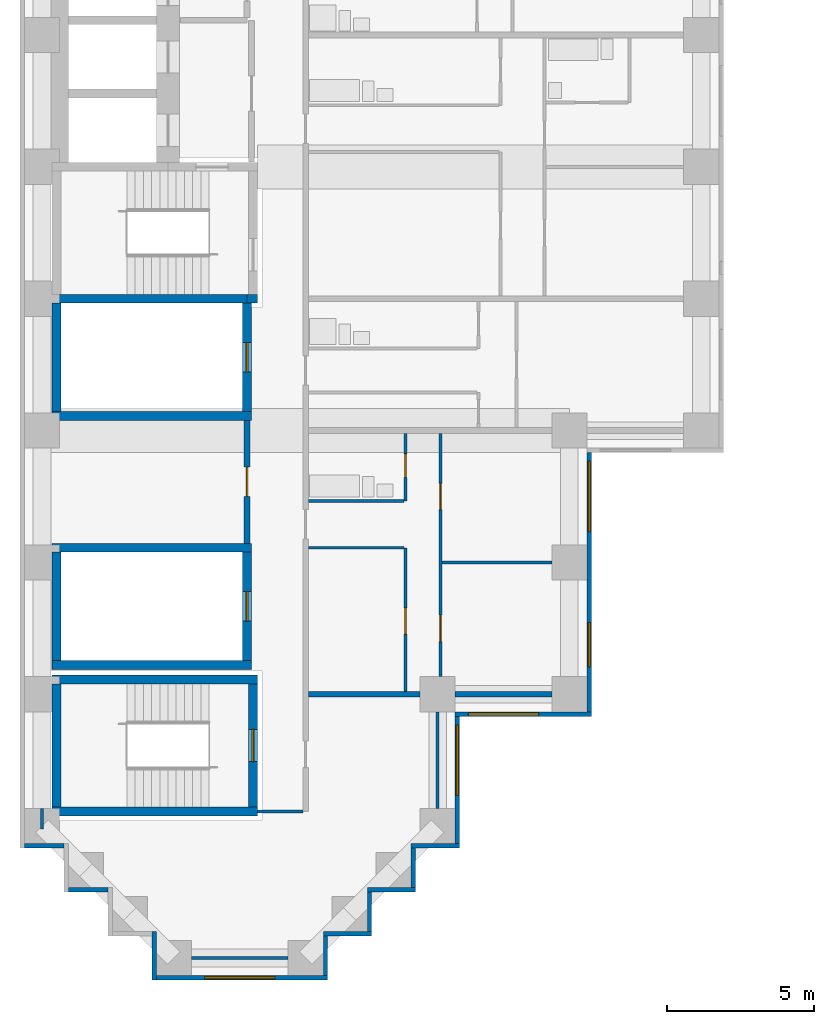
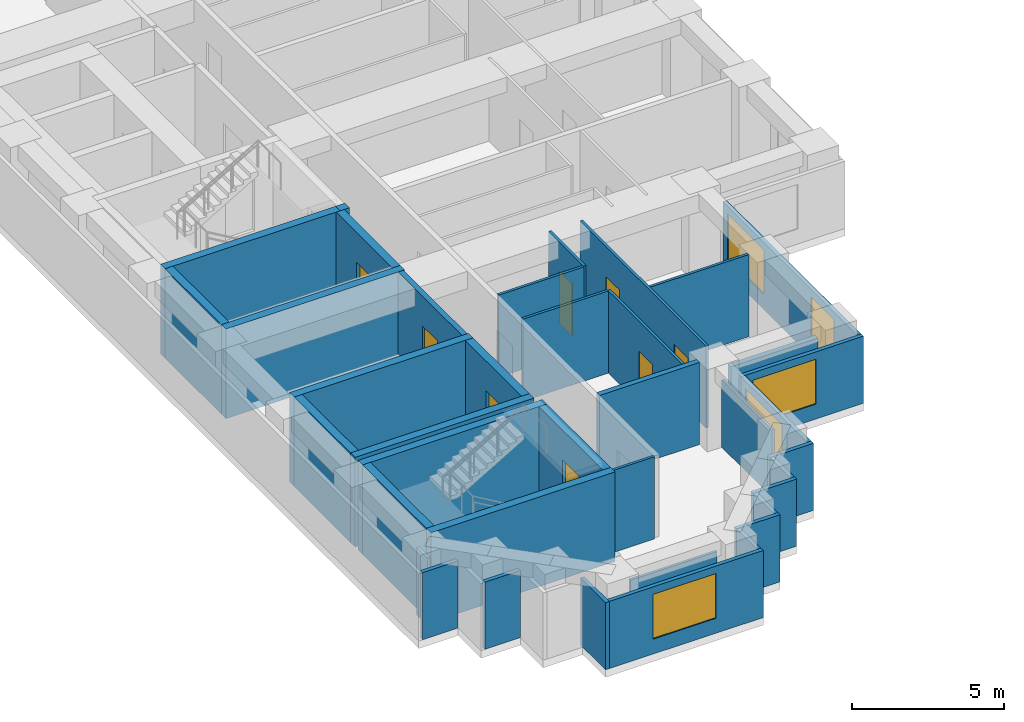
# One storey, part 2 of 11: 39 walls, 8 doors, 5 windows, 13 openings.
"""IFC4 building model written with IfcOpenShell, lengths in metres."""

from ifc_helpers import new_model, si_unit, direction, frame, frame_2d, origin, place, context, subcontext, project, spatial, rectangle, extrude, material, layer, layer_set, type_object, element, fill, save


model = new_model("IFC4")

# Units and contexts
model_context = context("Model", 3, precision=1e-05, world=origin(), true_north=direction((0.0, 1.0)))
body_context = subcontext(model_context, "Body", "Model", "MODEL_VIEW")
ifc_project = project(units=[si_unit("LENGTHUNIT", "METRE"), si_unit("AREAUNIT", "SQUARE_METRE"), si_unit("VOLUMEUNIT", "CUBIC_METRE"), si_unit("PLANEANGLEUNIT", "RADIAN"), si_unit("MASSUNIT", "GRAM", prefix="KILO")], contexts=[model_context])

# Site, building, storey
site_placement = place(None, origin())
site = spatial("IfcSite", under=ifc_project, at=site_placement, CompositionType="ELEMENT")
building_placement = place(site_placement, origin())
building = spatial("IfcBuilding", under=site, at=building_placement, Name="Firuza Court", CompositionType="ELEMENT")
storey_placement = place(building_placement, frame((0.0, 0.0, 83.0)))
storey = spatial("IfcBuildingStorey", under=building, at=storey_placement, Name="L20", CompositionType="ELEMENT", Elevation=83.0)

# Walls
ifc_material_1 = material(Name="Moisture-resistant gypsum board partition")
ifc_layer_1 = layer(ifc_material_1, 0.10009765625)
ifc_layer_set_1 = layer_set([ifc_layer_1], Name="Moisture-resistant gypsum board partition")
wall_type_1 = type_object("IfcWallType", Name="Bathroom partition 100", PredefinedType="PLUMBINGWALL", material=ifc_layer_set_1)
wall_1_placement = place(storey_placement, frame((9.10009765625, 15.60009765625, 0.0), z_axis=(0.0, 0.0, 1.0), x_axis=(1.0, 0.0, 0.0)))
element("IfcWall", 1, at=wall_1_placement, inside=storey, type_object=wall_type_1, Name="Bathroom partition 100 L20", PredefinedType="PLUMBINGWALL", context=body_context, shape_type="SweptSolid", body=[
    extrude(rectangle(XDim=3.25, YDim=0.10009765625, at=frame_2d((1.625, 0.0))), origin(), (0.0, 0.0, 1.0), 3.300048828125),
])
ifc_material_2 = material(Name="Concrete C60/75", Category="concrete")
ifc_layer_2 = layer(ifc_material_2, 0.300048828125)
ifc_layer_set_2 = layer_set([ifc_layer_2], Name="Concrete C60/75")
wall_type_2 = type_object("IfcWallType", Name="Core wall 300 C60/75", PredefinedType="SHEAR", material=ifc_layer_set_2)
for number, where, z_axis, x_axis, name in (
    (2, (0.35009765625, 5.0, -0.300048828125), (0.0, 0.0, 1.0), (1.0, 0.0, 0.0), "Core wall stair L20"),
    (3, (0.35009765625, 9.5, -0.300048828125), (0.0, 0.0, 1.0), (1.0, 0.0, 0.0), "Core wall stair L20"),
):
    element("IfcWall", number, at=place(storey_placement, frame(where, z_axis=z_axis, x_axis=x_axis)), inside=storey, type_object=wall_type_2, Name=name, PredefinedType="SHEAR", context=body_context, shape_type="SweptSolid", body=[
        extrude(rectangle(XDim=7.0, YDim=0.300048828125, at=frame_2d((3.5, 0.0))), origin(), (0.0, 0.0, 1.0), 3.60009765625),
    ])
for number, where, z_axis, x_axis, name in (
    (4, (0.35009765625, 10.0, -0.300048828125), (0.0, 0.0, 1.0), (1.0, 0.0, 0.0), "Core wall riser L20"),
    (5, (0.35009765625, 14.0, -0.300048828125), (0.0, 0.0, 1.0), (1.0, 0.0, 0.0), "Core wall riser L20"),
    (6, (0.35009765625, 18.5, -0.300048828125), (0.0, 0.0, 1.0), (1.0, 0.0, 0.0), "Core wall riser L20"),
):
    element("IfcWall", number, at=place(storey_placement, frame(where, z_axis=z_axis, x_axis=x_axis)), inside=storey, type_object=wall_type_2, Name=name, PredefinedType="SHEAR", context=body_context, shape_type="SweptSolid", body=[
        extrude(rectangle(XDim=6.7998046875, YDim=0.300048828125, at=frame_2d((3.39990234375, 0.0))), origin(), (0.0, 0.0, 1.0), 3.60009765625),
    ])
wall_2_placement = place(storey_placement, frame((0.35009765625, 22.5, -0.300048828125), z_axis=(0.0, 0.0, 1.0), x_axis=(1.0, 0.0, 0.0)))
element("IfcWall", 7, at=wall_2_placement, inside=storey, type_object=wall_type_2, Name="Core wall riser L20", PredefinedType="SHEAR", context=body_context, shape_type="SweptSolid", body=[
    extrude(rectangle(XDim=6.64990234375, YDim=0.300048828125, at=frame_2d((3.324951171875, 0.0))), origin(), (0.0, 0.0, 1.0), 3.60009765625),
])
wall_3_placement = place(storey_placement, frame((0.5, 5.14990234375, -0.300048828125), z_axis=(0.0, 0.0, 1.0), x_axis=(0.0, 1.0, 0.0)))
element("IfcWall", 8, at=wall_3_placement, inside=storey, type_object=wall_type_2, Name="Core wall stair L20", PredefinedType="SHEAR", context=body_context, shape_type="SweptSolid", body=[
    extrude(rectangle(XDim=4.2001953125, YDim=0.300048828125, at=frame_2d((2.10009765625, 0.0))), origin(), (0.0, 0.0, 1.0), 3.60009765625),
])
for number, where, z_axis, x_axis, name in (
    (9, (0.5, 10.14990234375, -0.300048828125), (0.0, 0.0, 1.0), (0.0, 1.0, 0.0), "Core wall riser L20"),
    (10, (0.5, 18.64990234375, -0.300048828125), (0.0, 0.0, 1.0), (0.0, 1.0, 0.0), "Core wall riser L20"),
):
    element("IfcWall", number, at=place(storey_placement, frame(where, z_axis=z_axis, x_axis=x_axis)), inside=storey, type_object=wall_type_2, Name=name, PredefinedType="SHEAR", context=body_context, shape_type="SweptSolid", body=[
        extrude(rectangle(XDim=3.7001953125, YDim=0.300048828125, at=frame_2d((1.85009765625, 0.0))), origin(), (0.0, 0.0, 1.0), 3.60009765625),
    ])

# Wall, opening, door
wall_4_placement = place(storey_placement, frame((7.0, 10.14990234375, -0.300048828125), z_axis=(0.0, 0.0, 1.0), x_axis=(0.0, 1.0, 0.0)))
wall_4 = element("IfcWall", 11, at=wall_4_placement, inside=storey, type_object=wall_type_2, Name="Core wall riser L20", PredefinedType="SHEAR", context=body_context, shape_type="SweptSolid", body=[
    extrude(rectangle(XDim=3.7001953125, YDim=0.300048828125, at=frame_2d((1.85009765625, 0.0))), origin(), (0.0, 0.0, 1.0), 3.60009765625),
])
opening_1_placement = place(wall_4_placement, frame((1.35009765625, 0.0, 0.300048828125)))
opening_1 = element("IfcOpeningElement", 12, at=opening_1_placement, cuts=wall_4, Name="Opening D20012", PredefinedType="OPENING", context=body_context, shape_type="SweptSolid", body=[
    extrude(rectangle(XDim=1.0, YDim=2.10009765625, at=frame_2d((0.5, 1.050048828125))), frame((0.0, 0.162109375, 0.0), z_axis=(0.0, -1.0, 0.0), x_axis=(1.0, 0.0, 0.0)), (0.0, 0.0, 1.0), 0.323974609375),
])
ifc_material_3 = material(Name="Timber door leaf in hardwood frame", Category="wood")
door_type_1 = type_object("IfcDoorType", Name="Riser door 1000", OperationType="SINGLE_SWING_LEFT", PredefinedType="DOOR", material=ifc_material_3)
door_1_placement = place(opening_1_placement, origin())
door_1 = element("IfcDoor", 13, at=door_1_placement, inside=storey, type_object=door_type_1, Name="Riser door R4", OperationType="SINGLE_SWING_LEFT", OverallHeight=2.10009765625, OverallWidth=1.0, PredefinedType="DOOR", context=body_context, shape_type="SweptSolid", body=[
    extrude(rectangle(XDim=1.0, YDim=2.10009765625, at=frame_2d((0.5, 1.050048828125))), frame((0.0, 0.02490234375, 0.0), z_axis=(0.0, -1.0, 0.0), x_axis=(1.0, 0.0, 0.0)), (0.0, 0.0, 1.0), 0.050048828125),
])
fill(opening_1, door_1)

wall_5_placement = place(storey_placement, frame((7.0, 18.64990234375, -0.300048828125), z_axis=(0.0, 0.0, 1.0), x_axis=(0.0, 1.0, 0.0)))
wall_5 = element("IfcWall", 14, at=wall_5_placement, inside=storey, type_object=wall_type_2, Name="Core wall riser L20", PredefinedType="SHEAR", context=body_context, shape_type="SweptSolid", body=[
    extrude(rectangle(XDim=3.7001953125, YDim=0.300048828125, at=frame_2d((1.85009765625, 0.0))), origin(), (0.0, 0.0, 1.0), 3.60009765625),
])
opening_2_placement = place(wall_5_placement, frame((1.35009765625, 0.0, 0.300048828125)))
opening_2 = element("IfcOpeningElement", 15, at=opening_2_placement, cuts=wall_5, Name="Opening D20010", PredefinedType="OPENING", context=body_context, shape_type="SweptSolid", body=[
    extrude(rectangle(XDim=1.0, YDim=2.10009765625, at=frame_2d((0.5, 1.050048828125))), frame((0.0, 0.162109375, 0.0), z_axis=(0.0, -1.0, 0.0), x_axis=(1.0, 0.0, 0.0)), (0.0, 0.0, 1.0), 0.323974609375),
])
door_2_placement = place(opening_2_placement, origin())
door_2 = element("IfcDoor", 16, at=door_2_placement, inside=storey, type_object=door_type_1, Name="Riser door R1", OperationType="SINGLE_SWING_LEFT", OverallHeight=2.10009765625, OverallWidth=1.0, PredefinedType="DOOR", context=body_context, shape_type="SweptSolid", body=[
    extrude(rectangle(XDim=1.0, YDim=2.10009765625, at=frame_2d((0.5, 1.050048828125))), frame((0.0, 0.02490234375, 0.0), z_axis=(0.0, -1.0, 0.0), x_axis=(1.0, 0.0, 0.0)), (0.0, 0.0, 1.0), 0.050048828125),
])
fill(opening_2, door_2)

# Wall
wall_6_placement = place(storey_placement, frame((7.0, 22.5, -0.300048828125), z_axis=(0.0, 0.0, 1.0), x_axis=(1.0, 0.0, 0.0)))
element("IfcWall", 17, at=wall_6_placement, inside=storey, type_object=wall_type_2, Name="Core wall stair L20", PredefinedType="SHEAR", context=body_context, shape_type="SweptSolid", body=[
    extrude(rectangle(XDim=0.35009765625, YDim=0.300048828125, at=frame_2d((0.175048828125, 0.0))), origin(), (0.0, 0.0, 1.0), 3.60009765625),
])

# Wall, opening, door
wall_7_placement = place(storey_placement, frame((7.199951171875, 5.14990234375, -0.300048828125), z_axis=(0.0, 0.0, 1.0), x_axis=(0.0, 1.0, 0.0)))
wall_7 = element("IfcWall", 18, at=wall_7_placement, inside=storey, type_object=wall_type_2, Name="Core wall stair L20", PredefinedType="SHEAR", context=body_context, shape_type="SweptSolid", body=[
    extrude(rectangle(XDim=4.2001953125, YDim=0.300048828125, at=frame_2d((2.10009765625, 0.0))), origin(), (0.0, 0.0, 1.0), 3.60009765625),
])
opening_3_placement = place(wall_7_placement, frame((1.550048828125, 0.0, 0.300048828125)))
opening_3 = element("IfcOpeningElement", 19, at=opening_3_placement, cuts=wall_7, Name="Opening D20018", PredefinedType="OPENING", context=body_context, shape_type="SweptSolid", body=[
    extrude(rectangle(XDim=1.10009765625, YDim=2.10009765625, at=frame_2d((0.550048828125, 1.050048828125))), frame((0.0, 0.162109375, 0.0), z_axis=(0.0, -1.0, 0.0), x_axis=(1.0, 0.0, 0.0)), (0.0, 0.0, 1.0), 0.323974609375),
])
ifc_material_4 = material(Name="Timber door leaf in hardwood frame", Category="wood")
door_type_2 = type_object("IfcDoorType", Name="Stair door 1100", OperationType="SINGLE_SWING_LEFT", PredefinedType="DOOR", material=ifc_material_4)
door_3_placement = place(opening_3_placement, origin())
door_3 = element("IfcDoor", 20, at=door_3_placement, inside=storey, type_object=door_type_2, Name="Stair door S5", OperationType="SINGLE_SWING_LEFT", OverallHeight=2.10009765625, OverallWidth=1.10009765625, PredefinedType="DOOR", context=body_context, shape_type="SweptSolid", body=[
    extrude(rectangle(XDim=1.10009765625, YDim=2.10009765625, at=frame_2d((0.550048828125, 1.050048828125))), frame((0.0, 0.02490234375, 0.0), z_axis=(0.0, -1.0, 0.0), x_axis=(1.0, 0.0, 0.0)), (0.0, 0.0, 1.0), 0.050048828125),
])
fill(opening_3, door_3)

ifc_material_5 = material(Name="Blockwork, plastered both sides", Category="masonry")
ifc_layer_3 = layer(ifc_material_5, 0.199951171875)
ifc_layer_set_3 = layer_set([ifc_layer_3], Name="Blockwork, plastered both sides")
wall_type_3 = type_object("IfcWallType", Name="Corridor wall 200", PredefinedType="PARTITIONING", material=ifc_layer_set_3)
wall_8_placement = place(storey_placement, frame((7.0, 14.14990234375, 0.0), z_axis=(0.0, 0.0, 1.0), x_axis=(0.0, 1.0, 0.0)))
wall_8 = element("IfcWall", 21, at=wall_8_placement, inside=storey, type_object=wall_type_3, Name="Corridor wall 200 L20", PredefinedType="PARTITIONING", context=body_context, shape_type="SweptSolid", body=[
    extrude(rectangle(XDim=4.2001953125, YDim=0.199951171875, at=frame_2d((2.10009765625, 0.0))), origin(), (0.0, 0.0, 1.0), 3.300048828125),
])
opening_4_placement = place(wall_8_placement, frame((1.60009765625, 0.0, 0.0)))
opening_4 = element("IfcOpeningElement", 22, at=opening_4_placement, cuts=wall_8, Name="Opening D20028", PredefinedType="OPENING", context=body_context, shape_type="SweptSolid", body=[
    extrude(rectangle(XDim=1.0, YDim=2.10009765625, at=frame_2d((0.5, 1.050048828125))), frame((0.0, 0.11181640625, 0.0), z_axis=(0.0, -1.0, 0.0), x_axis=(1.0, 0.0, 0.0)), (0.0, 0.0, 1.0), 0.223876953125),
])
ifc_material_6 = material(Name="Timber door leaf in hardwood frame", Category="wood")
door_type_3 = type_object("IfcDoorType", Name="Store door 1000", OperationType="SINGLE_SWING_LEFT", PredefinedType="DOOR", material=ifc_material_6)
door_4_placement = place(opening_4_placement, origin())
door_4 = element("IfcDoor", 23, at=door_4_placement, inside=storey, type_object=door_type_3, Name="Electrical room door", OperationType="SINGLE_SWING_LEFT", OverallHeight=2.10009765625, OverallWidth=1.0, PredefinedType="DOOR", context=body_context, shape_type="SweptSolid", body=[
    extrude(rectangle(XDim=1.0, YDim=2.10009765625, at=frame_2d((0.5, 1.050048828125))), frame((0.0, 0.02490234375, 0.0), z_axis=(0.0, -1.0, 0.0), x_axis=(1.0, 0.0, 0.0)), (0.0, 0.0, 1.0), 0.050048828125),
])
fill(opening_4, door_4)

# Walls
ifc_material_7 = material(Name="Timber stud partition, plasterboard both sides", Category="wood")
ifc_layer_4 = layer(ifc_material_7, 0.10009765625)
ifc_layer_set_4 = layer_set([ifc_layer_4], Name="Timber stud partition, plasterboard both sides")
wall_type_4 = type_object("IfcWallType", Name="Partition wall 100", PredefinedType="PARTITIONING", material=ifc_layer_set_4)
wall_9_placement = place(storey_placement, frame((5.10009765625, 0.0, 0.0), z_axis=(0.0, 0.0, 1.0), x_axis=(1.0, 0.0, 0.0)))
element("IfcWall", 24, at=wall_9_placement, inside=storey, type_object=wall_type_4, Name="Partition wall 100 L20", PredefinedType="PARTITIONING", context=body_context, shape_type="SweptSolid", body=[
    extrude(rectangle(XDim=3.2998046875, YDim=0.10009765625, at=frame_2d((1.64990234375, 0.0))), origin(), (0.0, 0.0, 1.0), 2.699951171875),
])
wall_10_placement = place(storey_placement, frame((0.0, 4.39990234375, 0.0), z_axis=(0.0, 0.0, 1.0), x_axis=(0.0, 1.0, 0.0)))
element("IfcWall", 25, at=wall_10_placement, inside=storey, type_object=wall_type_4, Name="Partition wall 100 L20", PredefinedType="PARTITIONING", context=body_context, shape_type="SweptSolid", body=[
    extrude(rectangle(XDim=0.7001953125, YDim=0.10009765625, at=frame_2d((0.35009765625, 0.0))), origin(), (0.0, 0.0, 1.0), 2.699951171875),
])
wall_11_placement = place(storey_placement, frame((7.34912109375, 5.0, 0.0), z_axis=(0.0, 0.0, 1.0), x_axis=(1.0, 0.0, 0.0)))
element("IfcWall", 26, at=wall_11_placement, inside=storey, type_object=wall_type_4, Name="Partition wall 100 L20", PredefinedType="PARTITIONING", context=body_context, shape_type="SweptSolid", body=[
    extrude(rectangle(XDim=1.55078125, YDim=0.10009765625, at=frame_2d((0.775390625, 0.0))), origin(), (0.0, 0.0, 1.0), 3.300048828125),
])
wall_12_placement = place(storey_placement, frame((13.5, 5.10009765625, 0.0), z_axis=(0.0, 0.0, 1.0), x_axis=(0.0, 1.0, 0.0)))
element("IfcWall", 27, at=wall_12_placement, inside=storey, type_object=wall_type_4, Name="Partition wall 100 L20", PredefinedType="PARTITIONING", context=body_context, shape_type="SweptSolid", body=[
    extrude(rectangle(XDim=3.2998046875, YDim=0.10009765625, at=frame_2d((1.64990234375, 0.0))), origin(), (0.0, 0.0, 1.0), 2.699951171875),
])

# Wall, opening, door
wall_13_placement = place(storey_placement, frame((12.39990234375, 9.10009765625, 0.0), z_axis=(0.0, 0.0, 1.0), x_axis=(0.0, 1.0, 0.0)))
wall_13 = element("IfcWall", 28, at=wall_13_placement, inside=storey, type_object=wall_type_4, Name="Partition wall 100 L20", PredefinedType="PARTITIONING", context=body_context, shape_type="SweptSolid", body=[
    extrude(rectangle(XDim=4.89990234375, YDim=0.10009765625, at=frame_2d((2.449951171875, 0.0))), origin(), (0.0, 0.0, 1.0), 3.300048828125),
])
opening_5_placement = place(wall_13_placement, frame((1.949951171875, 0.0, 0.0)))
opening_5 = element("IfcOpeningElement", 29, at=opening_5_placement, cuts=wall_13, Name="Opening D20025", PredefinedType="OPENING", context=body_context, shape_type="SweptSolid", body=[
    extrude(rectangle(XDim=0.89990234375, YDim=2.10009765625, at=frame_2d((0.449951171875, 1.050048828125))), frame((0.0, 0.06201171875, 0.0), z_axis=(0.0, -1.0, 0.0), x_axis=(1.0, 0.0, 0.0)), (0.0, 0.0, 1.0), 0.1240234375),
])
ifc_material_8 = material(Name="Timber door leaf in hardwood frame", Category="wood")
door_type_4 = type_object("IfcDoorType", Name="Room door 900", OperationType="SINGLE_SWING_LEFT", PredefinedType="DOOR", material=ifc_material_8)
door_5_placement = place(opening_5_placement, origin())
door_5 = element("IfcDoor", 30, at=door_5_placement, inside=storey, type_object=door_type_4, Name="Kitchen door", OperationType="SINGLE_SWING_LEFT", OverallHeight=2.10009765625, OverallWidth=0.89990234375, PredefinedType="DOOR", context=body_context, shape_type="SweptSolid", body=[
    extrude(rectangle(XDim=0.89990234375, YDim=2.10009765625, at=frame_2d((0.449951171875, 1.050048828125))), frame((0.0, 0.02490234375, 0.0), z_axis=(0.0, -1.0, 0.0), x_axis=(1.0, 0.0, 0.0)), (0.0, 0.0, 1.0), 0.050048828125),
])
fill(opening_5, door_5)

# Wall, openings, doors
wall_14_placement = place(storey_placement, frame((13.60009765625, 9.60009765625, 0.0), z_axis=(0.0, 0.0, 1.0), x_axis=(0.0, 1.0, 0.0)))
wall_14 = element("IfcWall", 31, at=wall_14_placement, inside=storey, type_object=wall_type_4, Name="Partition wall 100 L20", PredefinedType="PARTITIONING", context=body_context, shape_type="SweptSolid", body=[
    extrude(rectangle(XDim=8.2998046875, YDim=0.10009765625, at=frame_2d((4.14990234375, 0.0))), origin(), (0.0, 0.0, 1.0), 3.300048828125),
])
opening_6_placement = place(wall_14_placement, frame((1.199951171875, 0.0, 0.0)))
opening_6 = element("IfcOpeningElement", 32, at=opening_6_placement, cuts=wall_14, Name="Opening D20026", PredefinedType="OPENING", context=body_context, shape_type="SweptSolid", body=[
    extrude(rectangle(XDim=0.89990234375, YDim=2.10009765625, at=frame_2d((0.449951171875, 1.050048828125))), frame((0.0, 0.06201171875, 0.0), z_axis=(0.0, -1.0, 0.0), x_axis=(1.0, 0.0, 0.0)), (0.0, 0.0, 1.0), 0.1240234375),
])
opening_7_placement = place(wall_14_placement, frame((5.699951171875, 0.0, 0.0)))
opening_7 = element("IfcOpeningElement", 33, at=opening_7_placement, cuts=wall_14, Name="Opening D20027", PredefinedType="OPENING", context=body_context, shape_type="SweptSolid", body=[
    extrude(rectangle(XDim=0.89990234375, YDim=2.10009765625, at=frame_2d((0.449951171875, 1.050048828125))), frame((0.0, 0.06201171875, 0.0), z_axis=(0.0, -1.0, 0.0), x_axis=(1.0, 0.0, 0.0)), (0.0, 0.0, 1.0), 0.1240234375),
])
door_6_placement = place(opening_6_placement, frame((0.89990234375, 0.0, 0.0), z_axis=(0.0, 0.0, 1.0), x_axis=(-1.0, 0.0, 0.0)))
door_6 = element("IfcDoor", 34, at=door_6_placement, inside=storey, type_object=door_type_4, Name="Living room door", OperationType="SINGLE_SWING_RIGHT", OverallHeight=2.10009765625, OverallWidth=0.89990234375, PredefinedType="DOOR", context=body_context, shape_type="SweptSolid", body=[
    extrude(rectangle(XDim=0.89990234375, YDim=2.10009765625, at=frame_2d((0.449951171875, 1.050048828125))), frame((0.0, 0.02490234375, 0.0), z_axis=(0.0, -1.0, 0.0), x_axis=(1.0, 0.0, 0.0)), (0.0, 0.0, 1.0), 0.050048828125),
])
fill(opening_6, door_6)
door_7_placement = place(opening_7_placement, frame((0.89990234375, 0.0, 0.0), z_axis=(0.0, 0.0, 1.0), x_axis=(-1.0, 0.0, 0.0)))
door_7 = element("IfcDoor", 35, at=door_7_placement, inside=storey, type_object=door_type_4, Name="Bedroom door", OperationType="SINGLE_SWING_RIGHT", OverallHeight=2.10009765625, OverallWidth=0.89990234375, PredefinedType="DOOR", context=body_context, shape_type="SweptSolid", body=[
    extrude(rectangle(XDim=0.89990234375, YDim=2.10009765625, at=frame_2d((0.449951171875, 1.050048828125))), frame((0.0, 0.02490234375, 0.0), z_axis=(0.0, -1.0, 0.0), x_axis=(1.0, 0.0, 0.0)), (0.0, 0.0, 1.0), 0.050048828125),
])
fill(opening_7, door_7)

# Walls
wall_15_placement = place(storey_placement, frame((13.64990234375, 13.5, 0.0), z_axis=(0.0, 0.0, 1.0), x_axis=(1.0, 0.0, 0.0)))
element("IfcWall", 36, at=wall_15_placement, inside=storey, type_object=wall_type_4, Name="Partition wall 100 L20", PredefinedType="PARTITIONING", context=body_context, shape_type="SweptSolid", body=[
    extrude(rectangle(XDim=3.75, YDim=0.10009765625, at=frame_2d((1.875, 0.0))), origin(), (0.0, 0.0, 1.0), 3.300048828125),
])
wall_16_placement = place(storey_placement, frame((9.10009765625, 14.0, 0.0), z_axis=(0.0, 0.0, 1.0), x_axis=(1.0, 0.0, 0.0)))
element("IfcWall", 37, at=wall_16_placement, inside=storey, type_object=wall_type_4, Name="Partition wall 100 L20", PredefinedType="PARTITIONING", context=body_context, shape_type="SweptSolid", body=[
    extrude(rectangle(XDim=3.25, YDim=0.10009765625, at=frame_2d((1.625, 0.0))), origin(), (0.0, 0.0, 1.0), 3.300048828125),
])

# Wall, opening, door
wall_17_placement = place(storey_placement, frame((12.39990234375, 15.60009765625, 0.0), z_axis=(0.0, 0.0, 1.0), x_axis=(0.0, 1.0, 0.0)))
wall_17 = element("IfcWall", 38, at=wall_17_placement, inside=storey, type_object=wall_type_4, Name="Partition wall 100 L20", PredefinedType="PARTITIONING", context=body_context, shape_type="SweptSolid", body=[
    extrude(rectangle(XDim=2.2998046875, YDim=0.10009765625, at=frame_2d((1.14990234375, 0.0))), origin(), (0.0, 0.0, 1.0), 3.300048828125),
])
opening_8_placement = place(wall_17_placement, frame((0.800048828125, 0.0, 0.0)))
opening_8 = element("IfcOpeningElement", 39, at=opening_8_placement, cuts=wall_17, Name="Opening D20029", PredefinedType="OPENING", context=body_context, shape_type="SweptSolid", body=[
    extrude(rectangle(XDim=0.800048828125, YDim=2.10009765625, at=frame_2d((0.39990234375, 1.050048828125))), frame((0.0, 0.06201171875, 0.0), z_axis=(0.0, -1.0, 0.0), x_axis=(1.0, 0.0, 0.0)), (0.0, 0.0, 1.0), 0.1240234375),
])
ifc_material_9 = material(Name="Timber door leaf in hardwood frame", Category="wood")
door_type_5 = type_object("IfcDoorType", Name="Bathroom door 800", OperationType="SINGLE_SWING_LEFT", PredefinedType="DOOR", material=ifc_material_9)
door_8_placement = place(opening_8_placement, origin())
door_8 = element("IfcDoor", 40, at=door_8_placement, inside=storey, type_object=door_type_5, Name="Bathroom door", OperationType="SINGLE_SWING_LEFT", OverallHeight=2.10009765625, OverallWidth=0.800048828125, PredefinedType="DOOR", context=body_context, shape_type="SweptSolid", body=[
    extrude(rectangle(XDim=0.800048828125, YDim=2.10009765625, at=frame_2d((0.39990234375, 1.050048828125))), frame((0.0, 0.02490234375, 0.0), z_axis=(0.0, -1.0, 0.0), x_axis=(1.0, 0.0, 0.0)), (0.0, 0.0, 1.0), 0.050048828125),
])
fill(opening_8, door_8)

# Walls
ifc_layer_5 = layer(ifc_material_5, 0.199951171875)
ifc_layer_set_5 = layer_set([ifc_layer_5], Name="Blockwork, plastered both sides")
wall_type_5 = type_object("IfcWallType", Name="Party wall 200", PredefinedType="PARTITIONING", material=ifc_layer_set_5)
wall_18_placement = place(storey_placement, frame((9.10009765625, 9.0, 0.0), z_axis=(0.0, 0.0, 1.0), x_axis=(1.0, 0.0, 0.0)))
element("IfcWall", 41, at=wall_18_placement, inside=storey, type_object=wall_type_5, Name="Party wall 200 L20", PredefinedType="PARTITIONING", context=body_context, shape_type="SweptSolid", body=[
    extrude(rectangle(XDim=3.7998046875, YDim=0.199951171875, at=frame_2d((1.89990234375, 0.0))), origin(), (0.0, 0.0, 1.0), 3.300048828125),
])
wall_19_placement = place(storey_placement, frame((14.10009765625, 9.0, 0.0), z_axis=(0.0, 0.0, 1.0), x_axis=(1.0, 0.0, 0.0)))
element("IfcWall", 42, at=wall_19_placement, inside=storey, type_object=wall_type_5, Name="Party wall 200 L20", PredefinedType="PARTITIONING", context=body_context, shape_type="SweptSolid", body=[
    extrude(rectangle(XDim=3.2998046875, YDim=0.199951171875, at=frame_2d((1.64990234375, 0.0))), origin(), (0.0, 0.0, 1.0), 2.699951171875),
])
ifc_material_10 = material(Name="Ceramic tile", Category="ceramic")
ifc_layer_6 = layer(ifc_material_10, 0.02001953125)
ifc_material_11 = material(Name="Mineral wool insulation", Category="insulation")
ifc_layer_7 = layer(ifc_material_11, 0.050048828125)
ifc_material_12 = material(Name="Concrete C40/50 precast", Category="concrete")
ifc_layer_8 = layer(ifc_material_12, 0.080078125)
ifc_layer_set_6 = layer_set([ifc_layer_6, ifc_layer_7, ifc_layer_8], Name="Concrete C40/50 precast")
wall_type_6 = type_object("IfcWallType", Name="Precast cladding wall with turquoise TILE PANEL face 150", PredefinedType="STANDARD", material=ifc_layer_set_6)
wall_20_placement = place(storey_placement, frame((9.675048828125, -0.60009765625, 0.0), z_axis=(0.0, 0.0, 1.0), x_axis=(0.0, 1.0, 0.0)))
element("IfcWall", 43, at=wall_20_placement, inside=storey, type_object=wall_type_6, Name="Facade wall L20 E", PredefinedType="STANDARD", context=body_context, shape_type="SweptSolid", body=[
    extrude(rectangle(XDim=1.35009765625, YDim=0.14990234375, at=frame_2d((0.675048828125, 0.0))), origin(), (0.0, 0.0, 1.0), 2.699951171875),
])
wall_21_placement = place(storey_placement, frame((9.60009765625, 0.824951171875, 0.0), z_axis=(0.0, 0.0, 1.0), x_axis=(1.0, 0.0, 0.0)))
element("IfcWall", 44, at=wall_21_placement, inside=storey, type_object=wall_type_6, Name="Facade wall L20 S", PredefinedType="STANDARD", context=body_context, shape_type="SweptSolid", body=[
    extrude(rectangle(XDim=1.64990234375, YDim=0.14990234375, at=frame_2d((0.824951171875, 0.0))), origin(), (0.0, 0.0, 1.0), 2.699951171875),
])
wall_22_placement = place(storey_placement, frame((11.175048828125, 0.89990234375, 0.0), z_axis=(0.0, 0.0, 1.0), x_axis=(0.0, 1.0, 0.0)))
element("IfcWall", 45, at=wall_22_placement, inside=storey, type_object=wall_type_6, Name="Facade wall L20 E", PredefinedType="STANDARD", context=body_context, shape_type="SweptSolid", body=[
    extrude(rectangle(XDim=1.35009765625, YDim=0.14990234375, at=frame_2d((0.675048828125, 0.0))), origin(), (0.0, 0.0, 1.0), 2.699951171875),
])
wall_23_placement = place(storey_placement, frame((11.10009765625, 2.324951171875, 0.0), z_axis=(0.0, 0.0, 1.0), x_axis=(1.0, 0.0, 0.0)))
element("IfcWall", 46, at=wall_23_placement, inside=storey, type_object=wall_type_6, Name="Facade wall L20 S", PredefinedType="STANDARD", context=body_context, shape_type="SweptSolid", body=[
    extrude(rectangle(XDim=1.64990234375, YDim=0.14990234375, at=frame_2d((0.824951171875, 0.0))), origin(), (0.0, 0.0, 1.0), 2.699951171875),
])
wall_24_placement = place(storey_placement, frame((12.675048828125, 2.39990234375, 0.0), z_axis=(0.0, 0.0, 1.0), x_axis=(0.0, 1.0, 0.0)))
element("IfcWall", 47, at=wall_24_placement, inside=storey, type_object=wall_type_6, Name="Facade wall L20 E", PredefinedType="STANDARD", context=body_context, shape_type="SweptSolid", body=[
    extrude(rectangle(XDim=1.35009765625, YDim=0.14990234375, at=frame_2d((0.675048828125, 0.0))), origin(), (0.0, 0.0, 1.0), 2.699951171875),
])
wall_25_placement = place(storey_placement, frame((12.60009765625, 3.824951171875, 0.0), z_axis=(0.0, 0.0, 1.0), x_axis=(1.0, 0.0, 0.0)))
element("IfcWall", 48, at=wall_25_placement, inside=storey, type_object=wall_type_6, Name="Facade wall L20 S", PredefinedType="STANDARD", context=body_context, shape_type="SweptSolid", body=[
    extrude(rectangle(XDim=1.64990234375, YDim=0.14990234375, at=frame_2d((0.824951171875, 0.0))), origin(), (0.0, 0.0, 1.0), 2.699951171875),
])

# Wall, opening, window
wall_26_placement = place(storey_placement, frame((14.175048828125, 3.89990234375, 0.0), z_axis=(0.0, 0.0, 1.0), x_axis=(0.0, 1.0, 0.0)))
wall_26 = element("IfcWall", 49, at=wall_26_placement, inside=storey, type_object=wall_type_6, Name="Facade wall L20 E", PredefinedType="STANDARD", context=body_context, shape_type="SweptSolid", body=[
    extrude(rectangle(XDim=4.35009765625, YDim=0.14990234375, at=frame_2d((2.175048828125, 0.0))), origin(), (0.0, 0.0, 1.0), 2.699951171875),
])
opening_9_placement = place(wall_26_placement, frame((1.64990234375, 0.0, 0.60009765625)))
opening_9 = element("IfcOpeningElement", 50, at=opening_9_placement, cuts=wall_26, Name="Opening W1", PredefinedType="OPENING", context=body_context, shape_type="SweptSolid", body=[
    extrude(rectangle(XDim=2.39990234375, YDim=1.800048828125, at=frame_2d((1.199951171875, 0.89990234375))), frame((0.0, 0.0869140625, 0.0), z_axis=(0.0, -1.0, 0.0), x_axis=(1.0, 0.0, 0.0)), (0.0, 0.0, 1.0), 0.173828125),
])
ifc_material_13 = material(Name="Aluminium frame, triple clear glazing", Category="aluminium")
window_type_1 = type_object("IfcWindowType", Name="Window W1 2400 x 1800", PartitioningType="SINGLE_PANEL", PredefinedType="WINDOW", material=ifc_material_13)
window_1_placement = place(opening_9_placement, origin())
window_1 = element("IfcWindow", 51, at=window_1_placement, inside=storey, type_object=window_type_1, Name="Window L20", OverallHeight=1.800048828125, OverallWidth=2.39990234375, PartitioningType="SINGLE_PANEL", PredefinedType="WINDOW", context=body_context, shape_type="SweptSolid", body=[
    extrude(rectangle(XDim=2.39990234375, YDim=1.800048828125, at=frame_2d((1.199951171875, 0.89990234375))), frame((0.0, 0.030029296875, 0.0), z_axis=(0.0, -1.0, 0.0), x_axis=(1.0, 0.0, 0.0)), (0.0, 0.0, 1.0), 0.06005859375),
])
fill(opening_9, window_1)

wall_27_placement = place(storey_placement, frame((14.10009765625, 8.324951171875, 0.0), z_axis=(0.0, 0.0, 1.0), x_axis=(1.0, 0.0, 0.0)))
wall_27 = element("IfcWall", 52, at=wall_27_placement, inside=storey, type_object=wall_type_6, Name="Facade wall L20 S", PredefinedType="STANDARD", context=body_context, shape_type="SweptSolid", body=[
    extrude(rectangle(XDim=4.64990234375, YDim=0.14990234375, at=frame_2d((2.324951171875, 0.0))), origin(), (0.0, 0.0, 1.0), 2.699951171875),
])
opening_10_placement = place(wall_27_placement, frame((0.449951171875, 0.0, 0.60009765625)))
opening_10 = element("IfcOpeningElement", 53, at=opening_10_placement, cuts=wall_27, Name="Opening W1", PredefinedType="OPENING", context=body_context, shape_type="SweptSolid", body=[
    extrude(rectangle(XDim=2.39990234375, YDim=1.800048828125, at=frame_2d((1.199951171875, 0.89990234375))), frame((0.0, 0.0869140625, 0.0), z_axis=(0.0, -1.0, 0.0), x_axis=(1.0, 0.0, 0.0)), (0.0, 0.0, 1.0), 0.173828125),
])
window_2_placement = place(opening_10_placement, origin())
window_2 = element("IfcWindow", 54, at=window_2_placement, inside=storey, type_object=window_type_1, Name="Window L20", OverallHeight=1.800048828125, OverallWidth=2.39990234375, PartitioningType="SINGLE_PANEL", PredefinedType="WINDOW", context=body_context, shape_type="SweptSolid", body=[
    extrude(rectangle(XDim=2.39990234375, YDim=1.800048828125, at=frame_2d((1.199951171875, 0.89990234375))), frame((0.0, 0.030029296875, 0.0), z_axis=(0.0, -1.0, 0.0), x_axis=(1.0, 0.0, 0.0)), (0.0, 0.0, 1.0), 0.06005859375),
])
fill(opening_10, window_2)

# Wall, openings, windows
wall_28_placement = place(storey_placement, frame((18.675048828125, 8.39990234375, 0.0), z_axis=(0.0, 0.0, 1.0), x_axis=(0.0, 1.0, 0.0)))
wall_28 = element("IfcWall", 55, at=wall_28_placement, inside=storey, type_object=wall_type_6, Name="Facade wall L20 E", PredefinedType="STANDARD", context=body_context, shape_type="SweptSolid", body=[
    extrude(rectangle(XDim=8.85009765625, YDim=0.14990234375, at=frame_2d((4.425048828125, 0.0))), origin(), (0.0, 0.0, 1.0), 2.699951171875),
])
opening_11_placement = place(wall_28_placement, frame((1.541748046875, 0.0, 0.60009765625)))
opening_11 = element("IfcOpeningElement", 56, at=opening_11_placement, cuts=wall_28, Name="Opening W2", PredefinedType="OPENING", context=body_context, shape_type="SweptSolid", body=[
    extrude(rectangle(XDim=1.5, YDim=1.800048828125, at=frame_2d((0.75, 0.89990234375))), frame((0.0, 0.0869140625, 0.0), z_axis=(0.0, -1.0, 0.0), x_axis=(1.0, 0.0, 0.0)), (0.0, 0.0, 1.0), 0.173828125),
])
opening_12_placement = place(wall_28_placement, frame((6.14990234375, 0.0, 0.60009765625)))
opening_12 = element("IfcOpeningElement", 57, at=opening_12_placement, cuts=wall_28, Name="Opening W1", PredefinedType="OPENING", context=body_context, shape_type="SweptSolid", body=[
    extrude(rectangle(XDim=2.39990234375, YDim=1.800048828125, at=frame_2d((1.199951171875, 0.89990234375))), frame((0.0, 0.0869140625, 0.0), z_axis=(0.0, -1.0, 0.0), x_axis=(1.0, 0.0, 0.0)), (0.0, 0.0, 1.0), 0.173828125),
])
window_3_placement = place(opening_12_placement, origin())
window_3 = element("IfcWindow", 58, at=window_3_placement, inside=storey, type_object=window_type_1, Name="Window L20", OverallHeight=1.800048828125, OverallWidth=2.39990234375, PartitioningType="SINGLE_PANEL", PredefinedType="WINDOW", context=body_context, shape_type="SweptSolid", body=[
    extrude(rectangle(XDim=2.39990234375, YDim=1.800048828125, at=frame_2d((1.199951171875, 0.89990234375))), frame((0.0, 0.030029296875, 0.0), z_axis=(0.0, -1.0, 0.0), x_axis=(1.0, 0.0, 0.0)), (0.0, 0.0, 1.0), 0.06005859375),
])
fill(opening_12, window_3)
ifc_material_14 = material(Name="Aluminium frame, triple clear glazing", Category="aluminium")
window_type_2 = type_object("IfcWindowType", Name="Window W2 1500 x 1800", PartitioningType="SINGLE_PANEL", PredefinedType="WINDOW", material=ifc_material_14)
window_4_placement = place(opening_11_placement, origin())
window_4 = element("IfcWindow", 59, at=window_4_placement, inside=storey, type_object=window_type_2, Name="Window L20", OverallHeight=1.800048828125, OverallWidth=1.5, PartitioningType="SINGLE_PANEL", PredefinedType="WINDOW", context=body_context, shape_type="SweptSolid", body=[
    extrude(rectangle(XDim=1.5, YDim=1.800048828125, at=frame_2d((0.75, 0.89990234375))), frame((0.0, 0.030029296875, 0.0), z_axis=(0.0, -1.0, 0.0), x_axis=(1.0, 0.0, 0.0)), (0.0, 0.0, 1.0), 0.06005859375),
])
fill(opening_11, window_4)

# Walls
for number, where, z_axis, x_axis, name in (
    (60, (-0.60009765625, 3.824951171875, 0.0), (0.0, 0.0, 1.0), (1.0, 0.0, 0.0), "Facade wall L20 S"),
    (61, (0.89990234375, 2.324951171875, 0.0), (0.0, 0.0, 1.0), (1.0, 0.0, 0.0), "Facade wall L20 S"),
):
    element("IfcWall", number, at=place(storey_placement, frame(where, z_axis=z_axis, x_axis=x_axis)), inside=storey, type_object=wall_type_6, Name=name, PredefinedType="STANDARD", context=body_context, shape_type="SweptSolid", body=[
        extrude(rectangle(XDim=1.35009765625, YDim=0.14990234375, at=frame_2d((0.675048828125, 0.0))), origin(), (0.0, 0.0, 1.0), 2.699951171875),
    ])
wall_29_placement = place(storey_placement, frame((3.824951171875, 0.89990234375, 0.0), z_axis=(0.0, 0.0, 1.0), x_axis=(0.0, -1.0, 0.0)))
element("IfcWall", 62, at=wall_29_placement, inside=storey, type_object=wall_type_6, Name="Facade wall L20 W", PredefinedType="STANDARD", context=body_context, shape_type="SweptSolid", body=[
    extrude(rectangle(XDim=1.64990234375, YDim=0.14990234375, at=frame_2d((0.824951171875, 0.0))), origin(), (0.0, 0.0, 1.0), 2.699951171875),
])

# Wall, opening, window
wall_30_placement = place(storey_placement, frame((3.89990234375, -0.675048828125, 0.0), z_axis=(0.0, 0.0, 1.0), x_axis=(1.0, 0.0, 0.0)))
wall_30 = element("IfcWall", 63, at=wall_30_placement, inside=storey, type_object=wall_type_6, Name="Facade wall L20 S", PredefinedType="STANDARD", context=body_context, shape_type="SweptSolid", body=[
    extrude(rectangle(XDim=5.85009765625, YDim=0.14990234375, at=frame_2d((2.925048828125, 0.0))), origin(), (0.0, 0.0, 1.0), 2.699951171875),
])
opening_13_placement = place(wall_30_placement, frame((1.64990234375, 0.0, 0.60009765625)))
opening_13 = element("IfcOpeningElement", 64, at=opening_13_placement, cuts=wall_30, Name="Opening W1", PredefinedType="OPENING", context=body_context, shape_type="SweptSolid", body=[
    extrude(rectangle(XDim=2.39990234375, YDim=1.800048828125, at=frame_2d((1.199951171875, 0.89990234375))), frame((0.0, 0.0869140625, 0.0), z_axis=(0.0, -1.0, 0.0), x_axis=(1.0, 0.0, 0.0)), (0.0, 0.0, 1.0), 0.173828125),
])
window_5_placement = place(opening_13_placement, origin())
window_5 = element("IfcWindow", 65, at=window_5_placement, inside=storey, type_object=window_type_1, Name="Window L20", OverallHeight=1.800048828125, OverallWidth=2.39990234375, PartitioningType="SINGLE_PANEL", PredefinedType="WINDOW", context=body_context, shape_type="SweptSolid", body=[
    extrude(rectangle(XDim=2.39990234375, YDim=1.800048828125, at=frame_2d((1.199951171875, 0.89990234375))), frame((0.0, 0.030029296875, 0.0), z_axis=(0.0, -1.0, 0.0), x_axis=(1.0, 0.0, 0.0)), (0.0, 0.0, 1.0), 0.06005859375),
])
fill(opening_13, window_5)

save(model, "model.ifc")
